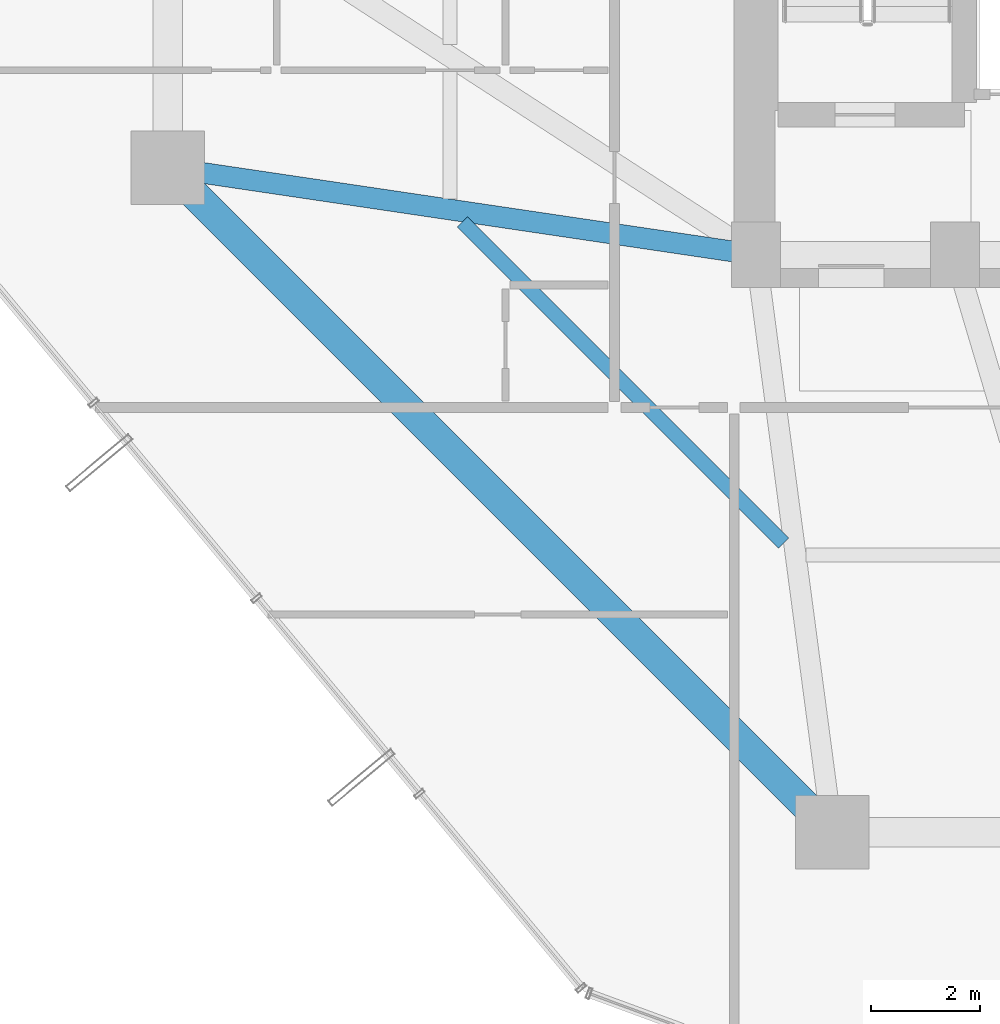
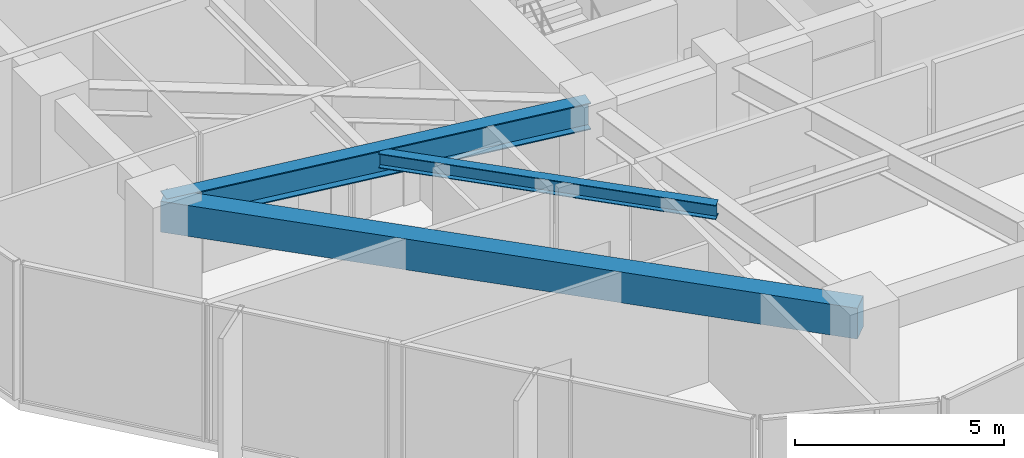
# One storey, part 5 of 35: 3 beams.
"""IFC4 building model written with IfcOpenShell, lengths in metres."""

from ifc_helpers import new_model, si_unit, direction, frame, origin, origin_2d, place, context, subcontext, project, spatial, rectangle, i_section, extrude, material, material_profile, profile_set, type_object, element, save


model = new_model("IFC4")

# Units and contexts
model_context = context("Model", 3, precision=1e-05, world=origin(), true_north=direction((0.0, 1.0)))
body_context = subcontext(model_context, "Body", "Model", "MODEL_VIEW")
ifc_project = project(units=[si_unit("LENGTHUNIT", "METRE"), si_unit("AREAUNIT", "SQUARE_METRE"), si_unit("VOLUMEUNIT", "CUBIC_METRE"), si_unit("PLANEANGLEUNIT", "RADIAN"), si_unit("MASSUNIT", "GRAM", prefix="KILO")], contexts=[model_context])

# Site, building, storey
site_placement = place(None, origin())
site = spatial("IfcSite", under=ifc_project, at=site_placement, CompositionType="ELEMENT")
building_placement = place(site_placement, origin())
building = spatial("IfcBuilding", under=site, at=building_placement, Name="Veraguas Prism Commons", CompositionType="ELEMENT")
storey_placement = place(building_placement, frame((0.0, 0.0, 56.550048828125)))
storey = spatial("IfcBuildingStorey", under=building, at=storey_placement, Name="L15", CompositionType="ELEMENT", Elevation=56.550048828125)

# Beams
ifc_material_1 = material(Name="Steel ASTM A992 Grade 50", Category="steel")
ifc_material_profile_1 = material_profile(ifc_material_1, i_section(OverallWidth=0.382080078125, OverallDepth=0.779052734375, WebThickness=0.01806640625, FlangeThickness=0.030029296875, at=origin_2d()), Name="W760X284")
ifc_profile_set_1 = profile_set([ifc_material_profile_1], Name="Steel ASTM A992 Grade 50")
beam_type_1 = type_object("IfcBeamType", Name="Assembly Primary Girder W760x284", PredefinedType="BEAM", material=ifc_profile_set_1)
beam_1_placement = place(storey_placement, frame((6.39990234375, 18.60009765625, 3.660400390625), z_axis=(0.989202261707, -0.146556765224, 0.0), x_axis=(0.146556765224, 0.989202261707, 0.0)))
element("IfcBeam", 1, at=beam_1_placement, inside=storey, type_object=beam_type_1, Name="Radial Floor Girder L15-RD09", PredefinedType="BEAM", context=body_context, shape_type="SweptSolid", body=[
    extrude(i_section(OverallWidth=0.382080078125, OverallDepth=0.779052734375, WebThickness=0.01806640625, FlangeThickness=0.030029296875, at=origin_2d()), origin(), (0.0, 0.0, 1.0), 10.91796875),
])
ifc_material_profile_2 = material_profile(ifc_material_1, i_section(OverallWidth=0.260986328125, OverallDepth=0.419921875, WebThickness=0.01171875, FlangeThickness=0.019287109375, at=origin_2d()), Name="W410X114")
ifc_profile_set_2 = profile_set([ifc_material_profile_2], Name="Steel ASTM A992 Grade 50")
beam_type_2 = type_object("IfcBeamType", Name="Lower Floor Joist W410x114", PredefinedType="JOIST", material=ifc_profile_set_2)
beam_2_placement = place(storey_placement, frame((11.808349609375, 17.607666015625, 3.83984375), z_axis=(0.707106781187, -0.707106781187, 0.0), x_axis=(0.707106781187, 0.707106781187, 0.0)))
element("IfcBeam", 2, at=beam_2_placement, inside=storey, type_object=beam_type_2, Name="Composite Floor Joist L15-JS09", PredefinedType="JOIST", context=body_context, shape_type="SweptSolid", body=[
    extrude(i_section(OverallWidth=0.260986328125, OverallDepth=0.419921875, WebThickness=0.01171875, FlangeThickness=0.019287109375, at=origin_2d()), origin(), (0.0, 0.0, 1.0), 8.34375),
])
ifc_material_2 = material(Name="Concrete C50/60", Category="concrete")
ifc_material_profile_3 = material_profile(ifc_material_2, rectangle(XDim=0.550048828125, YDim=0.89990234375, at=origin_2d()), Name="RC550X900")
ifc_profile_set_3 = profile_set([ifc_material_profile_3], Name="Concrete C50/60")
beam_type_3 = type_object("IfcBeamType", Name="Perimeter Spandrel Lower RC 550x900", PredefinedType="SPANDREL", material=ifc_profile_set_3)
beam_3_placement = place(storey_placement, frame((6.39990234375, 18.60009765625, 3.599853515625), z_axis=(0.707106781187, -0.707106781187, 0.0), x_axis=(0.707106781187, 0.707106781187, 0.0)))
element("IfcBeam", 3, at=beam_3_placement, inside=storey, type_object=beam_type_3, Name="Perimeter Spandrel Beam L15-SP09", PredefinedType="SPANDREL", context=body_context, shape_type="SweptSolid", body=[
    extrude(rectangle(XDim=0.550048828125, YDim=0.89990234375, at=origin_2d()), origin(), (0.0, 0.0, 1.0), 17.253662109375),
])

save(model, "model.ifc")
